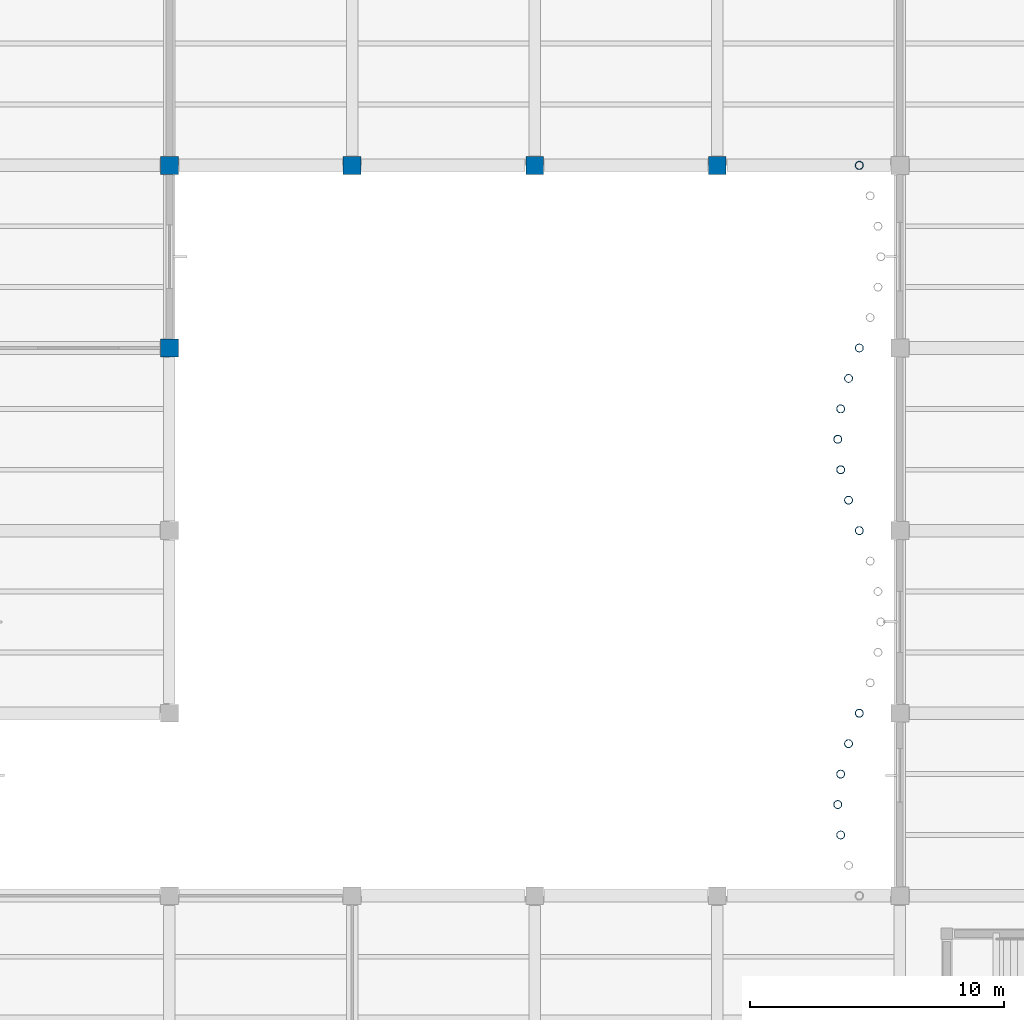
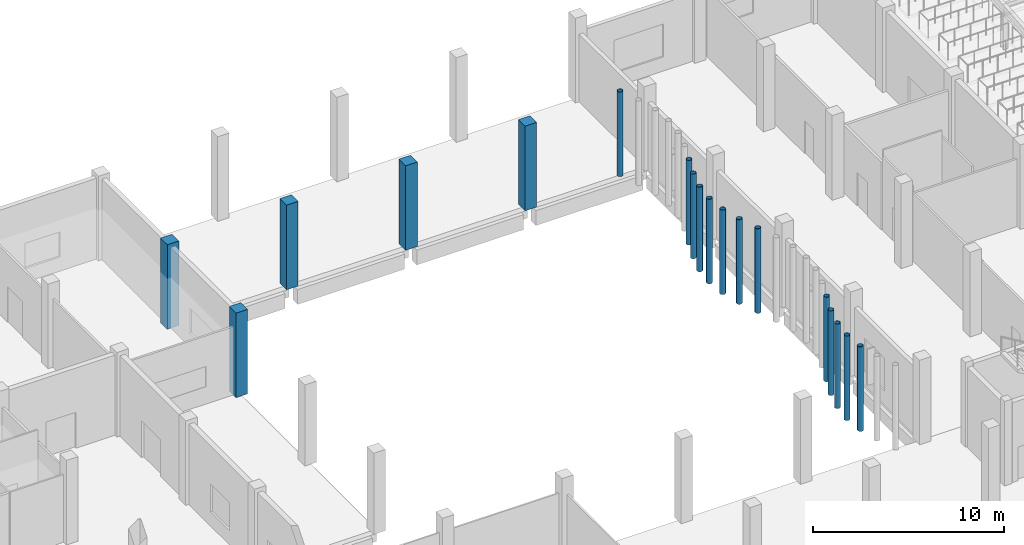
# One storey, part 4 of 46: 18 columns.
"""IFC4 building model written with IfcOpenShell, lengths in metres."""

from ifc_helpers import new_model, si_unit, direction, frame, origin, origin_2d, place, context, subcontext, project, spatial, rectangle, hollow_circle, extrude, material, material_profile, profile_set, type_object, element, save


model = new_model("IFC4")

# Units and contexts
model_context = context("Model", 3, precision=1e-05, world=origin(), true_north=direction((0.0, 1.0)))
body_context = subcontext(model_context, "Body", "Model", "MODEL_VIEW")
ifc_project = project(units=[si_unit("LENGTHUNIT", "METRE"), si_unit("AREAUNIT", "SQUARE_METRE"), si_unit("VOLUMEUNIT", "CUBIC_METRE"), si_unit("PLANEANGLEUNIT", "RADIAN"), si_unit("MASSUNIT", "GRAM", prefix="KILO"), si_unit("THERMODYNAMICTEMPERATUREUNIT", "KELVIN"), si_unit("POWERUNIT", "WATT")], contexts=[model_context])

# Site, building, storey
site_placement = place(None, origin())
site = spatial("IfcSite", under=ifc_project, at=site_placement, CompositionType="ELEMENT")
building_placement = place(site_placement, origin())
building = spatial("IfcBuilding", under=site, at=building_placement, Name="Kaldorven Railside Theatre", CompositionType="ELEMENT")
storey_placement = place(building_placement, origin())
storey = spatial("IfcBuildingStorey", under=building, at=storey_placement, Name="L00", CompositionType="ELEMENT", Elevation=0.0)

# Columns
ifc_material_1 = material(Name="Steel S355", Category="steel")
ifc_material_profile_1 = material_profile(ifc_material_1, hollow_circle(Radius=0.161865234375, WallThickness=0.01611328125, at=origin_2d()), Name="CHS 323.9x16")
ifc_profile_set_1 = profile_set([ifc_material_profile_1], Name="Steel S355")
column_type_1 = type_object("IfcColumnType", Name="COL-CHS324", PredefinedType="COLUMN", material=ifc_profile_set_1)
for number, where, z_axis, x_axis, name in (
    (1, (70.35009765625, 44.39990234375, 0.0), (0.0, 0.0, 1.0), (1.0, 0.0, 0.0), "L00 Courtyard Flute Mullion Column CFS-002"),
    (2, (70.35009765625, 58.800048828125, 0.0), (0.0, 0.0, 1.0), (1.0, 0.0, 0.0), "L00 Courtyard Flute Mullion Column CFS-005"),
    (3, (70.4638671875, 43.199951171875, 0.0), (0.0, 0.0, 1.0), (1.0, 0.0, 0.0), "L00 Courtyard Flute Mullion Column CFS-008"),
    (4, (70.4638671875, 45.60009765625, 0.0), (0.0, 0.0, 1.0), (1.0, 0.0, 0.0), "L00 Courtyard Flute Mullion Column CFS-011"),
    (5, (70.4638671875, 57.60009765625, 0.0), (0.0, 0.0, 1.0), (1.0, 0.0, 0.0), "L00 Courtyard Flute Mullion Column CFS-014"),
    (6, (70.4638671875, 60.0, 0.0), (0.0, 0.0, 1.0), (1.0, 0.0, 0.0), "L00 Courtyard Flute Mullion Column CFS-017"),
    (7, (70.77490234375, 46.800048828125, 0.0), (0.0, 0.0, 1.0), (1.0, 0.0, 0.0), "L00 Courtyard Flute Mullion Column CFS-023"),
    (8, (70.77490234375, 56.39990234375, 0.0), (0.0, 0.0, 1.0), (1.0, 0.0, 0.0), "L00 Courtyard Flute Mullion Column CFS-026"),
    (9, (70.77490234375, 61.199951171875, 0.0), (0.0, 0.0, 1.0), (1.0, 0.0, 0.0), "L00 Courtyard Flute Mullion Column CFS-029"),
    (10, (71.199951171875, 48.0, 0.0), (0.0, 0.0, 1.0), (1.0, 0.0, 0.0), "L00 Courtyard Flute Mullion Column CFS-035"),
    (11, (71.199951171875, 55.199951171875, 0.0), (0.0, 0.0, 1.0), (1.0, 0.0, 0.0), "L00 Courtyard Flute Mullion Column CFS-038"),
    (12, (71.199951171875, 62.39990234375, 0.0), (0.0, 0.0, 1.0), (1.0, 0.0, 0.0), "L00 Courtyard Flute Mullion Column CFS-041"),
    (13, (71.199951171875, 69.60009765625, 0.0), (0.0, 0.0, 1.0), (1.0, 0.0, 0.0), "L00 Courtyard Flute Mullion Column CFS-044"),
):
    element("IfcColumn", number, at=place(storey_placement, frame(where, z_axis=z_axis, x_axis=x_axis)), inside=storey, type_object=column_type_1, Name=name, PredefinedType="COLUMN", context=body_context, shape_type="SweptSolid", body=[
        extrude(hollow_circle(Radius=0.161865234375, WallThickness=0.01611328125, at=origin_2d()), origin(), (0.0, 0.0, 1.0), 5.39990234375),
    ])
ifc_material_2 = material(Name="Concrete C40/50", Category="concrete")
ifc_material_profile_2 = material_profile(ifc_material_2, rectangle(XDim=0.699951171875, YDim=0.699951171875, at=origin_2d()), Name="RC 700x700")
ifc_profile_set_2 = profile_set([ifc_material_profile_2], Name="Concrete C40/50")
column_type_2 = type_object("IfcColumnType", Name="COL-RC700", PredefinedType="COLUMN", material=ifc_profile_set_2)
for number, where, z_axis, x_axis, name in (
    (14, (44.0, 62.39990234375, 0.0), (0.0, 0.0, 1.0), (1.0, 0.0, 0.0), "L00 Column CG-L00-044-062"),
    (15, (44.0, 69.60009765625, 0.0), (0.0, 0.0, 1.0), (0.0, 1.0, 0.0), "L00 Column CG-L00-044-069"),
    (16, (51.199951171875, 69.60009765625, 0.0), (0.0, 0.0, 1.0), (1.0, 0.0, 0.0), "L00 Column CG-L00-051-069"),
    (17, (58.39990234375, 69.60009765625, 0.0), (0.0, 0.0, 1.0), (1.0, 0.0, 0.0), "L00 Column CG-L00-058-069"),
    (18, (65.60009765625, 69.60009765625, 0.0), (0.0, 0.0, 1.0), (0.0, 1.0, 0.0), "L00 Column CG-L00-065-069"),
):
    element("IfcColumn", number, at=place(storey_placement, frame(where, z_axis=z_axis, x_axis=x_axis)), inside=storey, type_object=column_type_2, Name=name, PredefinedType="COLUMN", context=body_context, shape_type="SweptSolid", body=[
        extrude(rectangle(XDim=0.699951171875, YDim=0.699951171875, at=origin_2d()), origin(), (0.0, 0.0, 1.0), 5.39990234375),
    ])

save(model, "model.ifc")
